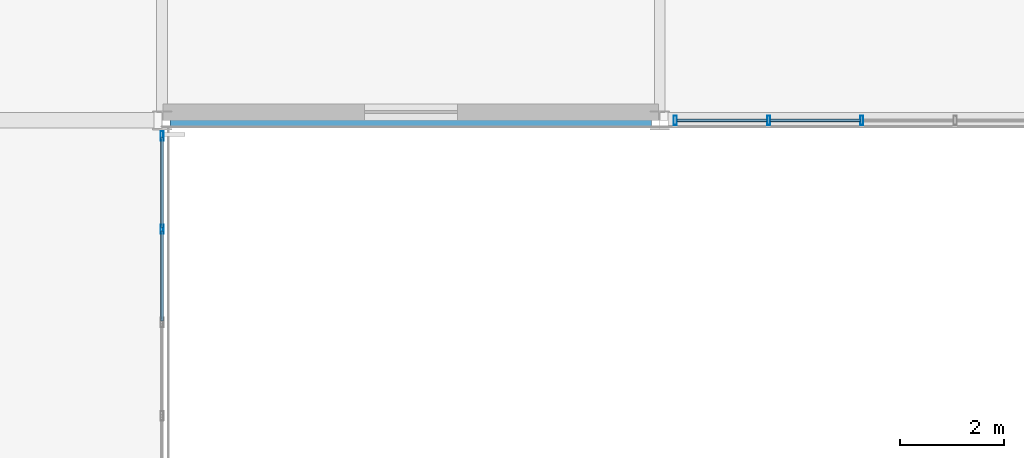
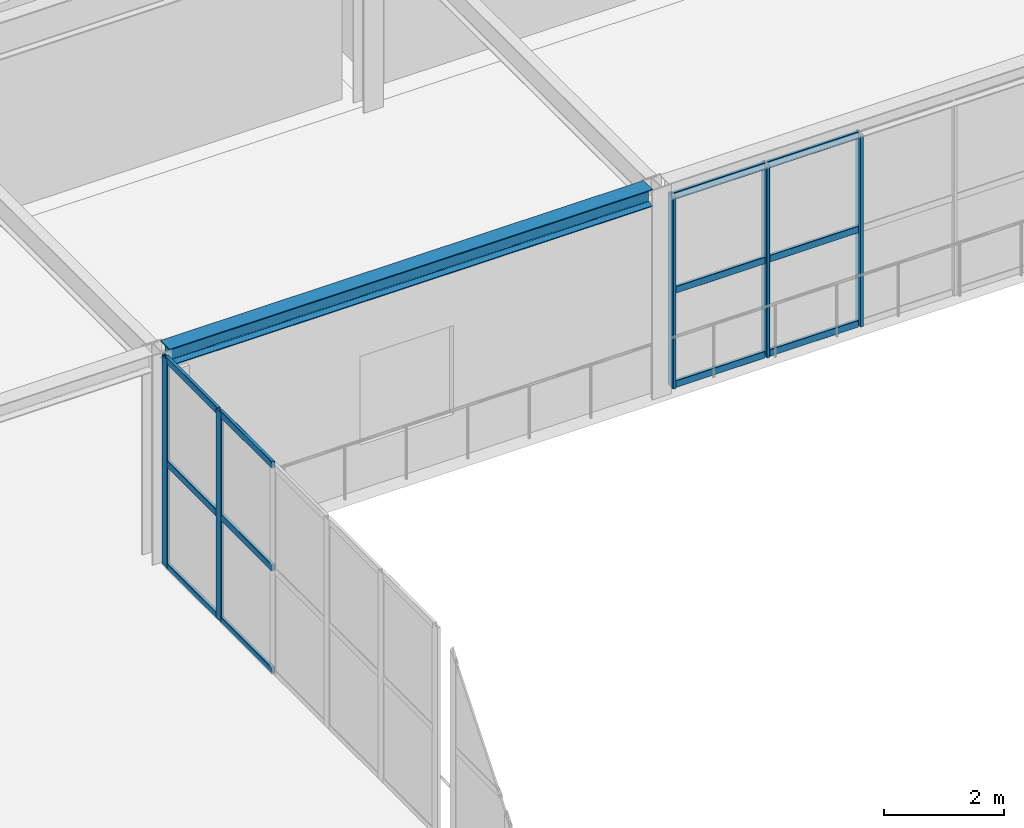
# One storey, part 83 of 170: 17 members, 1 beam, 2 elements without a shape of their own.
"""IFC4 building model written with IfcOpenShell, lengths in metres."""

from ifc_helpers import new_model, si_unit, direction, frame, origin, origin_2d, place, context, subcontext, project, spatial, hollow_rectangle, i_section, extrude, material, material_profile, profile_set, type_object, element, aggregate, save


model = new_model("IFC4")

# Units and contexts
model_context = context("Model", 3, precision=1e-05, world=origin(), true_north=direction((0.0, 1.0)))
body_context = subcontext(model_context, "Body", "Model", "MODEL_VIEW")
ifc_project = project(units=[si_unit("LENGTHUNIT", "METRE"), si_unit("AREAUNIT", "SQUARE_METRE"), si_unit("VOLUMEUNIT", "CUBIC_METRE"), si_unit("PLANEANGLEUNIT", "RADIAN"), si_unit("MASSUNIT", "GRAM", prefix="KILO")], contexts=[model_context])

# Site, building, storey
site_placement = place(None, origin())
site = spatial("IfcSite", under=ifc_project, at=site_placement, CompositionType="ELEMENT")
building_placement = place(site_placement, origin())
building = spatial("IfcBuilding", under=site, at=building_placement, Name="Coralgate Yard Interchange", CompositionType="ELEMENT")
storey_placement = place(building_placement, frame((0.0, 0.0, 6.0)))
storey = spatial("IfcBuildingStorey", under=building, at=storey_placement, Name="L01", CompositionType="ELEMENT", Elevation=6.0)

# Beam
ifc_material_1 = material(Name="Structural steel S355J2", Category="steel")
ifc_material_profile_1 = material_profile(ifc_material_1, i_section(OverallWidth=0.300048828125, OverallDepth=0.35009765625, WebThickness=0.010009765625, FlangeThickness=0.017578125, FilletRadius=0.027099609375, at=origin_2d()), Name="HEA 360")
ifc_profile_set_1 = profile_set([ifc_material_profile_1], Name="Structural steel S355J2")
beam_type = type_object("IfcBeamType", Name="BM-SP-1", PredefinedType="SPANDREL", material=ifc_profile_set_1)
beam_placement = place(storey_placement, frame((48.15625, 67.199951171875, 4.074951171875), z_axis=(1.0, 0.0, 0.0), x_axis=(0.0, 1.0, 0.0)))
element("IfcBeam", 1, at=beam_placement, inside=storey, type_object=beam_type, Name="L01 primary grid beam Y7 X5-6", PredefinedType="SPANDREL", context=body_context, shape_type="SweptSolid", body=[
    extrude(i_section(OverallWidth=0.300048828125, OverallDepth=0.35009765625, WebThickness=0.010009765625, FlangeThickness=0.017578125, FilletRadius=0.027099609375, at=origin_2d()), origin(), (0.0, 0.0, 1.0), 9.287353515625),
])

# Curtain wall, members
ifc_material_2 = material(Name="Anodised coastal aluminium and solar-control low-E glass", Category="aluminium")
curtain_wall_type_1 = type_object("IfcCurtainWallType", Name="CW-CW-L01-B", PredefinedType="NOTDEFINED", material=ifc_material_2)
curtain_wall_1_placement = place(storey_placement, origin())
curtain_wall_1 = element("IfcCurtainWall", 2, at=curtain_wall_1_placement, inside=storey, type_object=curtain_wall_type_1, Name="L01 unitised curtain wall CW-L01-E-04-06", PredefinedType="NOTDEFINED")
ifc_material_3 = material(Name="Anodised coastal aluminium 6063-T6", Category="aluminium")
ifc_material_profile_2 = material_profile(ifc_material_3, hollow_rectangle(XDim=0.06005859375, YDim=0.179931640625, WallThickness=0.00390625, InnerFilletRadius=0.00390625, OuterFilletRadius=0.008056640625, at=origin_2d()), Name="ALU 60x180x4")
ifc_profile_set_2 = profile_set([ifc_material_profile_2], Name="Anodised coastal aluminium 6063-T6")
member_type_1 = type_object("IfcMemberType", Name="MB-MUL-180", PredefinedType="MULLION", material=ifc_profile_set_2)
member_1_placement = place(storey_placement, frame((48.0, 66.89990234375, 0.0), z_axis=(0.0, 0.0, 1.0), x_axis=(1.0, 0.0, 0.0)))
member_1 = element("IfcMember", 3, at=member_1_placement, type_object=member_type_1, Name="CW-L01-E-04-06 vertical mullion 1", PredefinedType="MULLION", context=body_context, shape_type="SweptSolid", body=[
    extrude(hollow_rectangle(XDim=0.06005859375, YDim=0.179931640625, WallThickness=0.00390625, InnerFilletRadius=0.00390625, OuterFilletRadius=0.008056640625, at=origin_2d()), origin(), (0.0, 0.0, 1.0), 4.25),
])
member_2_placement = place(storey_placement, frame((48.0, 65.10009765625, 0.0), z_axis=(0.0, 0.0, 1.0), x_axis=(1.0, 0.0, 0.0)))
member_2 = element("IfcMember", 4, at=member_2_placement, type_object=member_type_1, Name="CW-L01-E-04-06 vertical mullion 2", PredefinedType="MULLION", context=body_context, shape_type="SweptSolid", body=[
    extrude(hollow_rectangle(XDim=0.06005859375, YDim=0.179931640625, WallThickness=0.00390625, InnerFilletRadius=0.00390625, OuterFilletRadius=0.008056640625, at=origin_2d()), origin(), (0.0, 0.0, 1.0), 4.25),
])

curtain_wall_type_2 = type_object("IfcCurtainWallType", Name="CW-CW-L01-A", PredefinedType="NOTDEFINED", material=ifc_material_2)
curtain_wall_2_placement = place(storey_placement, origin())
curtain_wall_2 = element("IfcCurtainWall", 5, at=curtain_wall_2_placement, inside=storey, type_object=curtain_wall_type_2, Name="L01 unitised curtain wall CW-L01-S-06-07", PredefinedType="NOTDEFINED")
member_3_placement = place(storey_placement, frame((61.5, 67.199951171875, 0.0), z_axis=(0.0, 0.0, 1.0), x_axis=(1.0, 0.0, 0.0)))
member_3 = element("IfcMember", 6, at=member_3_placement, type_object=member_type_1, Name="CW-L01-S-06-07 vertical mullion 4", PredefinedType="MULLION", context=body_context, shape_type="SweptSolid", body=[
    extrude(hollow_rectangle(XDim=0.06005859375, YDim=0.179931640625, WallThickness=0.00390625, InnerFilletRadius=0.00390625, OuterFilletRadius=0.008056640625, at=origin_2d()), origin(), (0.0, 0.0, 1.0), 3.89990234375),
])
member_4_placement = place(storey_placement, frame((59.699951171875, 67.199951171875, 0.0), z_axis=(0.0, 0.0, 1.0), x_axis=(1.0, 0.0, 0.0)))
member_4 = element("IfcMember", 7, at=member_4_placement, type_object=member_type_1, Name="CW-L01-S-06-07 vertical mullion 5", PredefinedType="MULLION", context=body_context, shape_type="SweptSolid", body=[
    extrude(hollow_rectangle(XDim=0.06005859375, YDim=0.179931640625, WallThickness=0.00390625, InnerFilletRadius=0.00390625, OuterFilletRadius=0.008056640625, at=origin_2d()), origin(), (0.0, 0.0, 1.0), 3.89990234375),
])
member_5_placement = place(storey_placement, frame((57.89990234375, 67.199951171875, 0.0), z_axis=(0.0, 0.0, 1.0), x_axis=(1.0, 0.0, 0.0)))
member_5 = element("IfcMember", 8, at=member_5_placement, type_object=member_type_1, Name="CW-L01-S-06-07 vertical mullion 6", PredefinedType="MULLION", context=body_context, shape_type="SweptSolid", body=[
    extrude(hollow_rectangle(XDim=0.06005859375, YDim=0.179931640625, WallThickness=0.00390625, InnerFilletRadius=0.00390625, OuterFilletRadius=0.008056640625, at=origin_2d()), origin(), (0.0, 0.0, 1.0), 3.89990234375),
])

# Member
ifc_material_profile_3 = material_profile(ifc_material_3, hollow_rectangle(XDim=0.06005859375, YDim=0.139892578125, WallThickness=0.00341796875, InnerFilletRadius=0.00341796875, OuterFilletRadius=0.007080078125, at=origin_2d()), Name="ALU 60x140x3.5")
ifc_profile_set_3 = profile_set([ifc_material_profile_3], Name="Anodised coastal aluminium 6063-T6")
member_type_2 = type_object("IfcMemberType", Name="MB-TRN-140", PredefinedType="USERDEFINED", material=ifc_profile_set_3)
member_6_placement = place(storey_placement, frame((48.0, 66.8701171875, 0.034912109375), z_axis=(0.0, -1.0, 0.0), x_axis=(1.0, 0.0, 0.0)))
member_6 = element("IfcMember", 9, at=member_6_placement, type_object=member_type_2, Name="CW-L01-E-04-06 horizontal transom 1-1", ObjectType="TRANSOM", PredefinedType="USERDEFINED", context=body_context, shape_type="SweptSolid", body=[
    extrude(hollow_rectangle(XDim=0.06005859375, YDim=0.139892578125, WallThickness=0.00341796875, InnerFilletRadius=0.00341796875, OuterFilletRadius=0.007080078125, at=origin_2d()), origin(), (0.0, 0.0, 1.0), 1.740234375),
])

member_7_placement = place(storey_placement, frame((48.0, 66.8701171875, 2.125), z_axis=(0.0, -1.0, 0.0), x_axis=(1.0, 0.0, 0.0)))
member_7 = element("IfcMember", 10, at=member_7_placement, type_object=member_type_2, Name="CW-L01-E-04-06 horizontal transom 1-2", ObjectType="TRANSOM", PredefinedType="USERDEFINED", context=body_context, shape_type="SweptSolid", body=[
    extrude(hollow_rectangle(XDim=0.06005859375, YDim=0.139892578125, WallThickness=0.00341796875, InnerFilletRadius=0.00341796875, OuterFilletRadius=0.007080078125, at=origin_2d()), origin(), (0.0, 0.0, 1.0), 1.740234375),
])

member_8_placement = place(storey_placement, frame((48.0, 66.8701171875, 4.215087890625), z_axis=(0.0, -1.0, 0.0), x_axis=(1.0, 0.0, 0.0)))
member_8 = element("IfcMember", 11, at=member_8_placement, type_object=member_type_2, Name="CW-L01-E-04-06 horizontal transom 1-3", ObjectType="TRANSOM", PredefinedType="USERDEFINED", context=body_context, shape_type="SweptSolid", body=[
    extrude(hollow_rectangle(XDim=0.06005859375, YDim=0.139892578125, WallThickness=0.00341796875, InnerFilletRadius=0.00341796875, OuterFilletRadius=0.007080078125, at=origin_2d()), origin(), (0.0, 0.0, 1.0), 1.740234375),
])

member_9_placement = place(storey_placement, frame((48.0, 65.070068359375, 0.034912109375), z_axis=(0.0, -1.0, 0.0), x_axis=(1.0, 0.0, 0.0)))
member_9 = element("IfcMember", 12, at=member_9_placement, type_object=member_type_2, Name="CW-L01-E-04-06 horizontal transom 2-1", ObjectType="TRANSOM", PredefinedType="USERDEFINED", context=body_context, shape_type="SweptSolid", body=[
    extrude(hollow_rectangle(XDim=0.06005859375, YDim=0.139892578125, WallThickness=0.00341796875, InnerFilletRadius=0.00341796875, OuterFilletRadius=0.007080078125, at=origin_2d()), origin(), (0.0, 0.0, 1.0), 1.739990234375),
])

member_10_placement = place(storey_placement, frame((48.0, 65.070068359375, 2.125), z_axis=(0.0, -1.0, 0.0), x_axis=(1.0, 0.0, 0.0)))
member_10 = element("IfcMember", 13, at=member_10_placement, type_object=member_type_2, Name="CW-L01-E-04-06 horizontal transom 2-2", ObjectType="TRANSOM", PredefinedType="USERDEFINED", context=body_context, shape_type="SweptSolid", body=[
    extrude(hollow_rectangle(XDim=0.06005859375, YDim=0.139892578125, WallThickness=0.00341796875, InnerFilletRadius=0.00341796875, OuterFilletRadius=0.007080078125, at=origin_2d()), origin(), (0.0, 0.0, 1.0), 1.739990234375),
])

member_11_placement = place(storey_placement, frame((48.0, 65.070068359375, 4.215087890625), z_axis=(0.0, -1.0, 0.0), x_axis=(1.0, 0.0, 0.0)))
member_11 = element("IfcMember", 14, at=member_11_placement, type_object=member_type_2, Name="CW-L01-E-04-06 horizontal transom 2-3", ObjectType="TRANSOM", PredefinedType="USERDEFINED", context=body_context, shape_type="SweptSolid", body=[
    extrude(hollow_rectangle(XDim=0.06005859375, YDim=0.139892578125, WallThickness=0.00341796875, InnerFilletRadius=0.00341796875, OuterFilletRadius=0.007080078125, at=origin_2d()), origin(), (0.0, 0.0, 1.0), 1.739990234375),
])

aggregate(curtain_wall_1, [member_1, member_2, member_6, member_7, member_8, member_9, member_10, member_11])

member_12_placement = place(storey_placement, frame((61.469970703125, 67.199951171875, 0.034912109375), z_axis=(-1.0, 0.0, 0.0), x_axis=(0.0, -1.0, 0.0)))
member_12 = element("IfcMember", 15, at=member_12_placement, type_object=member_type_2, Name="CW-L01-S-06-07 horizontal transom 4-1", ObjectType="TRANSOM", PredefinedType="USERDEFINED", context=body_context, shape_type="SweptSolid", body=[
    extrude(hollow_rectangle(XDim=0.06005859375, YDim=0.139892578125, WallThickness=0.00341796875, InnerFilletRadius=0.00341796875, OuterFilletRadius=0.007080078125, at=origin_2d()), origin(), (0.0, 0.0, 1.0), 1.739990234375),
])

member_13_placement = place(storey_placement, frame((61.469970703125, 67.199951171875, 1.949951171875), z_axis=(-1.0, 0.0, 0.0), x_axis=(0.0, -1.0, 0.0)))
member_13 = element("IfcMember", 16, at=member_13_placement, type_object=member_type_2, Name="CW-L01-S-06-07 horizontal transom 4-2", ObjectType="TRANSOM", PredefinedType="USERDEFINED", context=body_context, shape_type="SweptSolid", body=[
    extrude(hollow_rectangle(XDim=0.06005859375, YDim=0.139892578125, WallThickness=0.00341796875, InnerFilletRadius=0.00341796875, OuterFilletRadius=0.007080078125, at=origin_2d()), origin(), (0.0, 0.0, 1.0), 1.739990234375),
])

member_14_placement = place(storey_placement, frame((61.469970703125, 67.199951171875, 3.864990234375), z_axis=(-1.0, 0.0, 0.0), x_axis=(0.0, -1.0, 0.0)))
member_14 = element("IfcMember", 17, at=member_14_placement, type_object=member_type_2, Name="CW-L01-S-06-07 horizontal transom 4-3", ObjectType="TRANSOM", PredefinedType="USERDEFINED", context=body_context, shape_type="SweptSolid", body=[
    extrude(hollow_rectangle(XDim=0.06005859375, YDim=0.139892578125, WallThickness=0.00341796875, InnerFilletRadius=0.00341796875, OuterFilletRadius=0.007080078125, at=origin_2d()), origin(), (0.0, 0.0, 1.0), 1.739990234375),
])

member_15_placement = place(storey_placement, frame((59.669921875, 67.199951171875, 0.034912109375), z_axis=(-1.0, 0.0, 0.0), x_axis=(0.0, -1.0, 0.0)))
member_15 = element("IfcMember", 18, at=member_15_placement, type_object=member_type_2, Name="CW-L01-S-06-07 horizontal transom 5-1", ObjectType="TRANSOM", PredefinedType="USERDEFINED", context=body_context, shape_type="SweptSolid", body=[
    extrude(hollow_rectangle(XDim=0.06005859375, YDim=0.139892578125, WallThickness=0.00341796875, InnerFilletRadius=0.00341796875, OuterFilletRadius=0.007080078125, at=origin_2d()), origin(), (0.0, 0.0, 1.0), 1.739990234375),
])

member_16_placement = place(storey_placement, frame((59.669921875, 67.199951171875, 1.949951171875), z_axis=(-1.0, 0.0, 0.0), x_axis=(0.0, -1.0, 0.0)))
member_16 = element("IfcMember", 19, at=member_16_placement, type_object=member_type_2, Name="CW-L01-S-06-07 horizontal transom 5-2", ObjectType="TRANSOM", PredefinedType="USERDEFINED", context=body_context, shape_type="SweptSolid", body=[
    extrude(hollow_rectangle(XDim=0.06005859375, YDim=0.139892578125, WallThickness=0.00341796875, InnerFilletRadius=0.00341796875, OuterFilletRadius=0.007080078125, at=origin_2d()), origin(), (0.0, 0.0, 1.0), 1.739990234375),
])

member_17_placement = place(storey_placement, frame((59.669921875, 67.199951171875, 3.864990234375), z_axis=(-1.0, 0.0, 0.0), x_axis=(0.0, -1.0, 0.0)))
member_17 = element("IfcMember", 20, at=member_17_placement, type_object=member_type_2, Name="CW-L01-S-06-07 horizontal transom 5-3", ObjectType="TRANSOM", PredefinedType="USERDEFINED", context=body_context, shape_type="SweptSolid", body=[
    extrude(hollow_rectangle(XDim=0.06005859375, YDim=0.139892578125, WallThickness=0.00341796875, InnerFilletRadius=0.00341796875, OuterFilletRadius=0.007080078125, at=origin_2d()), origin(), (0.0, 0.0, 1.0), 1.739990234375),
])

aggregate(curtain_wall_2, [member_3, member_4, member_5, member_12, member_13, member_14, member_15, member_16, member_17])

save(model, "model.ifc")
